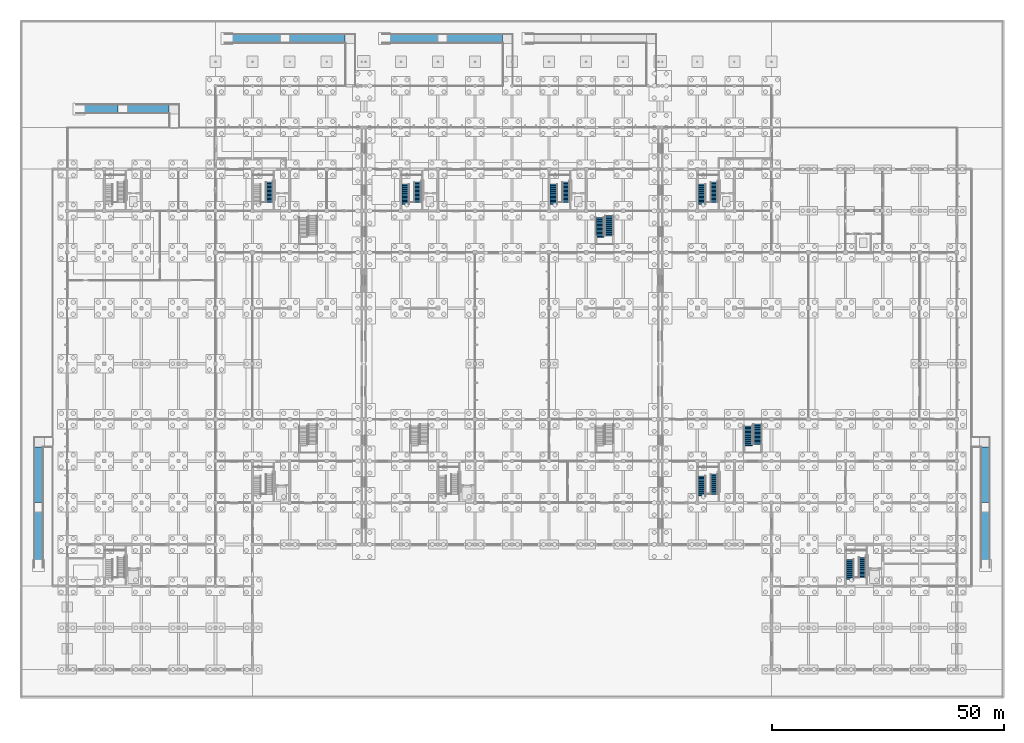
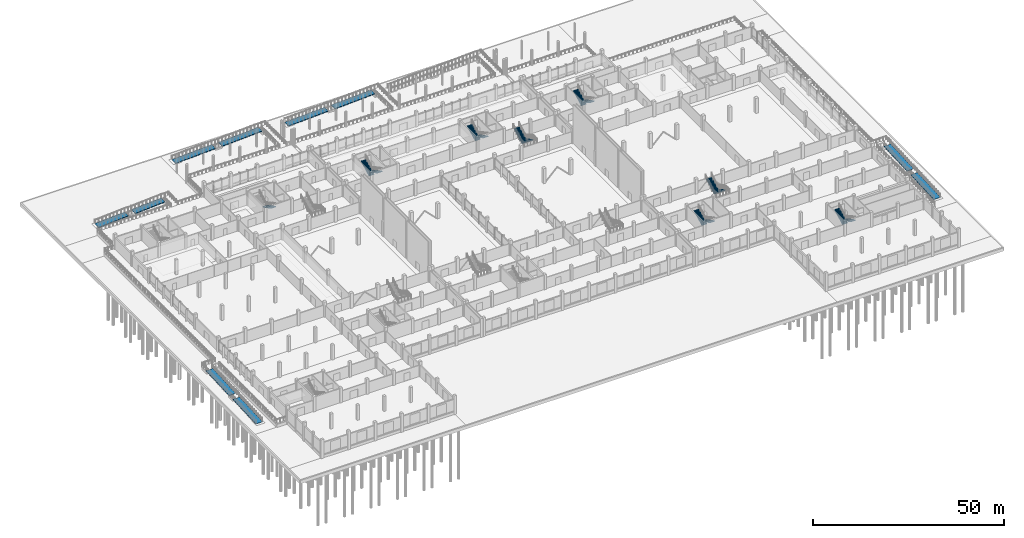
# One storey, part 59 of 72: 15 stair flights, 10 ramp flights, 13 elements without a shape of their own.
"""IFC4 building model written with IfcOpenShell, lengths in metres."""

from ifc_helpers import new_model, si_unit, direction, frame, origin, place, context, subcontext, project, spatial, polyline, outline, extrude, material, layer, layer_set, type_object, element, aggregate, save


model = new_model("IFC4")

# Units and contexts
model_context = context("Model", 3, precision=1e-05, world=origin(), true_north=direction((0.0, 1.0)))
body_context = subcontext(model_context, "Body", "Model", "MODEL_VIEW")
ifc_project = project(units=[si_unit("LENGTHUNIT", "METRE"), si_unit("AREAUNIT", "SQUARE_METRE"), si_unit("VOLUMEUNIT", "CUBIC_METRE"), si_unit("PLANEANGLEUNIT", "RADIAN"), si_unit("MASSUNIT", "GRAM", prefix="KILO"), si_unit("THERMODYNAMICTEMPERATUREUNIT", "KELVIN"), si_unit("POWERUNIT", "WATT")], contexts=[model_context])

# Site, building, storey
site_placement = place(None, origin())
site = spatial("IfcSite", under=ifc_project, at=site_placement, CompositionType="ELEMENT")
building_placement = place(site_placement, origin())
building = spatial("IfcBuilding", under=site, at=building_placement, Name="Kronsvod Quay Wholesale Market", CompositionType="ELEMENT")
storey_placement = place(building_placement, origin())
storey = spatial("IfcBuildingStorey", under=building, at=storey_placement, Name="L00", CompositionType="ELEMENT", Elevation=0.0)

# Stair, stair flights
ifc_material_1 = material(Name="Concrete C35/45", Category="concrete")
stair_type_1 = type_object("IfcStairType", Name="Stair_CoreL00_32R", PredefinedType="HALF_TURN_STAIR", material=ifc_material_1)
stair_1_placement = place(storey_placement, origin())
stair_1 = element("IfcStair", 1, at=stair_1_placement, inside=storey, type_object=stair_type_1, Name="ST05-L00", PredefinedType="HALF_TURN_STAIR")
ifc_material_2 = material(Name="Concrete C35/45", Category="concrete")
stair_flight_type_1 = type_object("IfcStairFlightType", Name="StairFlight_16R_155", PredefinedType="STRAIGHT", material=ifc_material_2)
stair_flight_1_placement = place(storey_placement, frame((139.6650390625, 42.179931640625, 0.0), z_axis=(0.0, 0.0, 1.0), x_axis=(0.0, -1.0, 0.0)))
stair_flight_1 = element("IfcStairFlight", 2, at=stair_flight_1_placement, type_object=stair_flight_type_1, Name="ST05-L00-F1", NumberOfRisers=16, NumberOfTreads=15, PredefinedType="STRAIGHT", RiserHeight=0.15, TreadLength=0.29, context=body_context, shape_type="SweptSolid", body=[
    extrude(outline(polyline([(0.0, 0.0), (0.0, 0.14990234375), (0.2900390625, 0.14990234375), (0.2900390625, 0.300048828125), (0.580078125, 0.300048828125), (0.580078125, 0.449951171875), (0.8701171875, 0.449951171875), (0.8701171875, 0.60009765625), (1.159912109375, 0.60009765625), (1.159912109375, 0.75), (1.449951171875, 0.75), (1.449951171875, 0.89990234375), (1.739990234375, 0.89990234375), (1.739990234375, 1.050048828125), (2.030029296875, 1.050048828125), (2.030029296875, 1.199951171875), (2.320068359375, 1.199951171875), (2.320068359375, 1.35009765625), (2.610107421875, 1.35009765625), (2.610107421875, 1.5), (2.89990234375, 1.5), (2.89990234375, 1.64990234375), (3.18994140625, 1.64990234375), (3.18994140625, 1.800048828125), (3.47998046875, 1.800048828125), (3.47998046875, 1.949951171875), (3.77001953125, 1.949951171875), (3.77001953125, 2.10009765625), (4.06005859375, 2.10009765625), (4.06005859375, 2.25), (4.35009765625, 2.25), (4.35009765625, 2.39990234375), (4.35009765625, 2.070068359375), (0.34814453125, 0.0), (0.0, 0.0)])), frame((0.0, 0.77490234375, 0.0), z_axis=(0.0, -1.0, 0.0), x_axis=(1.0, 0.0, 0.0)), (0.0, 0.0, 1.0), 1.550048828125),
])
stair_flight_2_placement = place(storey_placement, frame((136.9951171875, 37.409912109375, 2.39990234375), z_axis=(0.0, 0.0, 1.0), x_axis=(0.0, 1.0, 0.0)))
stair_flight_2 = element("IfcStairFlight", 3, at=stair_flight_2_placement, type_object=stair_flight_type_1, Name="ST05-L00-F2", NumberOfRisers=16, NumberOfTreads=15, PredefinedType="STRAIGHT", RiserHeight=0.15, TreadLength=0.29, context=body_context, shape_type="SweptSolid", body=[
    extrude(outline(polyline([(0.0, 0.0), (0.0, 0.14990234375), (0.2900390625, 0.14990234375), (0.2900390625, 0.300048828125), (0.580078125, 0.300048828125), (0.580078125, 0.449951171875), (0.8701171875, 0.449951171875), (0.8701171875, 0.60009765625), (1.159912109375, 0.60009765625), (1.159912109375, 0.75), (1.449951171875, 0.75), (1.449951171875, 0.89990234375), (1.739990234375, 0.89990234375), (1.739990234375, 1.050048828125), (2.030029296875, 1.050048828125), (2.030029296875, 1.199951171875), (2.320068359375, 1.199951171875), (2.320068359375, 1.35009765625), (2.610107421875, 1.35009765625), (2.610107421875, 1.5), (2.89990234375, 1.5), (2.89990234375, 1.64990234375), (3.18994140625, 1.64990234375), (3.18994140625, 1.800048828125), (3.47998046875, 1.800048828125), (3.47998046875, 1.949951171875), (3.77001953125, 1.949951171875), (3.77001953125, 2.10009765625), (4.06005859375, 2.10009765625), (4.06005859375, 2.25), (4.35009765625, 2.25), (4.35009765625, 2.39990234375), (4.35009765625, 2.070068359375), (0.34814453125, 0.0), (0.0, 0.0)])), frame((0.0, 0.77490234375, 0.0), z_axis=(0.0, -1.0, 0.0), x_axis=(1.0, 0.0, 0.0)), (0.0, 0.0, 1.0), 1.550048828125),
])
aggregate(stair_1, [stair_flight_1, stair_flight_2])

stair_2_placement = place(storey_placement, origin())
stair_2 = element("IfcStair", 4, at=stair_2_placement, inside=storey, type_object=stair_type_1, Name="ST06-L00", PredefinedType="HALF_TURN_STAIR")
stair_flight_3_placement = place(storey_placement, frame((171.6650390625, 24.179931640625, 0.0), z_axis=(0.0, 0.0, 1.0), x_axis=(0.0, -1.0, 0.0)))
stair_flight_3 = element("IfcStairFlight", 5, at=stair_flight_3_placement, type_object=stair_flight_type_1, Name="ST06-L00-F1", NumberOfRisers=16, NumberOfTreads=15, PredefinedType="STRAIGHT", RiserHeight=0.15, TreadLength=0.29, context=body_context, shape_type="SweptSolid", body=[
    extrude(outline(polyline([(0.0, 0.0), (0.0, 0.14990234375), (0.2900390625, 0.14990234375), (0.2900390625, 0.300048828125), (0.580078125, 0.300048828125), (0.580078125, 0.449951171875), (0.8701171875, 0.449951171875), (0.8701171875, 0.60009765625), (1.159912109375, 0.60009765625), (1.159912109375, 0.75), (1.449951171875, 0.75), (1.449951171875, 0.89990234375), (1.739990234375, 0.89990234375), (1.739990234375, 1.050048828125), (2.030029296875, 1.050048828125), (2.030029296875, 1.199951171875), (2.320068359375, 1.199951171875), (2.320068359375, 1.35009765625), (2.610107421875, 1.35009765625), (2.610107421875, 1.5), (2.89990234375, 1.5), (2.89990234375, 1.64990234375), (3.18994140625, 1.64990234375), (3.18994140625, 1.800048828125), (3.47998046875, 1.800048828125), (3.47998046875, 1.949951171875), (3.77001953125, 1.949951171875), (3.77001953125, 2.10009765625), (4.06005859375, 2.10009765625), (4.06005859375, 2.25), (4.35009765625, 2.25), (4.35009765625, 2.39990234375), (4.35009765625, 2.070068359375), (0.34814453125, 0.0), (0.0, 0.0)])), frame((0.0, 0.77490234375, 0.0), z_axis=(0.0, -1.0, 0.0), x_axis=(1.0, 0.0, 0.0)), (0.0, 0.0, 1.0), 1.550048828125),
])
stair_flight_4_placement = place(storey_placement, frame((168.9951171875, 19.409912109375, 2.39990234375), z_axis=(0.0, 0.0, 1.0), x_axis=(0.0, 1.0, 0.0)))
stair_flight_4 = element("IfcStairFlight", 6, at=stair_flight_4_placement, type_object=stair_flight_type_1, Name="ST06-L00-F2", NumberOfRisers=16, NumberOfTreads=15, PredefinedType="STRAIGHT", RiserHeight=0.15, TreadLength=0.29, context=body_context, shape_type="SweptSolid", body=[
    extrude(outline(polyline([(0.0, 0.0), (0.0, 0.14990234375), (0.2900390625, 0.14990234375), (0.2900390625, 0.300048828125), (0.580078125, 0.300048828125), (0.580078125, 0.449951171875), (0.8701171875, 0.449951171875), (0.8701171875, 0.60009765625), (1.159912109375, 0.60009765625), (1.159912109375, 0.75), (1.449951171875, 0.75), (1.449951171875, 0.89990234375), (1.739990234375, 0.89990234375), (1.739990234375, 1.050048828125), (2.030029296875, 1.050048828125), (2.030029296875, 1.199951171875), (2.320068359375, 1.199951171875), (2.320068359375, 1.35009765625), (2.610107421875, 1.35009765625), (2.610107421875, 1.5), (2.89990234375, 1.5), (2.89990234375, 1.64990234375), (3.18994140625, 1.64990234375), (3.18994140625, 1.800048828125), (3.47998046875, 1.800048828125), (3.47998046875, 1.949951171875), (3.77001953125, 1.949951171875), (3.77001953125, 2.10009765625), (4.06005859375, 2.10009765625), (4.06005859375, 2.25), (4.35009765625, 2.25), (4.35009765625, 2.39990234375), (4.35009765625, 2.070068359375), (0.34814453125, 0.0), (0.0, 0.0)])), frame((0.0, 0.77490234375, 0.0), z_axis=(0.0, -1.0, 0.0), x_axis=(1.0, 0.0, 0.0)), (0.0, 0.0, 1.0), 1.550048828125),
])
aggregate(stair_2, [stair_flight_3, stair_flight_4])

# Stair, stair flight
stair_3_placement = place(storey_placement, origin())
stair_3 = element("IfcStair", 7, at=stair_3_placement, inside=storey, type_object=stair_type_1, Name="ST07-L00", PredefinedType="HALF_TURN_STAIR")
stair_flight_5_placement = place(storey_placement, frame((43.6650390625, 105.179931640625, 0.0), z_axis=(0.0, 0.0, 1.0), x_axis=(0.0, -1.0, 0.0)))
stair_flight_5 = element("IfcStairFlight", 8, at=stair_flight_5_placement, type_object=stair_flight_type_1, Name="ST07-L00-F1", NumberOfRisers=16, NumberOfTreads=15, PredefinedType="STRAIGHT", RiserHeight=0.15, TreadLength=0.29, context=body_context, shape_type="SweptSolid", body=[
    extrude(outline(polyline([(0.0, 0.0), (0.0, 0.14990234375), (0.2900390625, 0.14990234375), (0.2900390625, 0.300048828125), (0.580078125, 0.300048828125), (0.580078125, 0.449951171875), (0.8701171875, 0.449951171875), (0.8701171875, 0.60009765625), (1.159912109375, 0.60009765625), (1.159912109375, 0.75), (1.449951171875, 0.75), (1.449951171875, 0.89990234375), (1.739990234375, 0.89990234375), (1.739990234375, 1.050048828125), (2.030029296875, 1.050048828125), (2.030029296875, 1.199951171875), (2.320068359375, 1.199951171875), (2.320068359375, 1.35009765625), (2.610107421875, 1.35009765625), (2.610107421875, 1.5), (2.89990234375, 1.5), (2.89990234375, 1.64990234375), (3.18994140625, 1.64990234375), (3.18994140625, 1.800048828125), (3.47998046875, 1.800048828125), (3.47998046875, 1.949951171875), (3.77001953125, 1.949951171875), (3.77001953125, 2.10009765625), (4.06005859375, 2.10009765625), (4.06005859375, 2.25), (4.35009765625, 2.25), (4.35009765625, 2.39990234375), (4.35009765625, 2.070068359375), (0.34814453125, 0.0), (0.0, 0.0)])), frame((0.0, 0.77490234375, 0.0), z_axis=(0.0, -1.0, 0.0), x_axis=(1.0, 0.0, 0.0)), (0.0, 0.0, 1.0), 1.550048828125),
])
aggregate(stair_3, [stair_flight_5])

# Stair, stair flights
stair_4_placement = place(storey_placement, origin())
stair_4 = element("IfcStair", 9, at=stair_4_placement, inside=storey, type_object=stair_type_1, Name="ST08-L00", PredefinedType="HALF_TURN_STAIR")
stair_flight_6_placement = place(storey_placement, frame((75.6650390625, 105.179931640625, 0.0), z_axis=(0.0, 0.0, 1.0), x_axis=(0.0, -1.0, 0.0)))
stair_flight_6 = element("IfcStairFlight", 10, at=stair_flight_6_placement, type_object=stair_flight_type_1, Name="ST08-L00-F1", NumberOfRisers=16, NumberOfTreads=15, PredefinedType="STRAIGHT", RiserHeight=0.15, TreadLength=0.29, context=body_context, shape_type="SweptSolid", body=[
    extrude(outline(polyline([(0.0, 0.0), (0.0, 0.14990234375), (0.2900390625, 0.14990234375), (0.2900390625, 0.300048828125), (0.580078125, 0.300048828125), (0.580078125, 0.449951171875), (0.8701171875, 0.449951171875), (0.8701171875, 0.60009765625), (1.159912109375, 0.60009765625), (1.159912109375, 0.75), (1.449951171875, 0.75), (1.449951171875, 0.89990234375), (1.739990234375, 0.89990234375), (1.739990234375, 1.050048828125), (2.030029296875, 1.050048828125), (2.030029296875, 1.199951171875), (2.320068359375, 1.199951171875), (2.320068359375, 1.35009765625), (2.610107421875, 1.35009765625), (2.610107421875, 1.5), (2.89990234375, 1.5), (2.89990234375, 1.64990234375), (3.18994140625, 1.64990234375), (3.18994140625, 1.800048828125), (3.47998046875, 1.800048828125), (3.47998046875, 1.949951171875), (3.77001953125, 1.949951171875), (3.77001953125, 2.10009765625), (4.06005859375, 2.10009765625), (4.06005859375, 2.25), (4.35009765625, 2.25), (4.35009765625, 2.39990234375), (4.35009765625, 2.070068359375), (0.34814453125, 0.0), (0.0, 0.0)])), frame((0.0, 0.77490234375, 0.0), z_axis=(0.0, -1.0, 0.0), x_axis=(1.0, 0.0, 0.0)), (0.0, 0.0, 1.0), 1.550048828125),
])
stair_flight_7_placement = place(storey_placement, frame((72.9951171875, 100.409912109375, 2.39990234375), z_axis=(0.0, 0.0, 1.0), x_axis=(0.0, 1.0, 0.0)))
stair_flight_7 = element("IfcStairFlight", 11, at=stair_flight_7_placement, type_object=stair_flight_type_1, Name="ST08-L00-F2", NumberOfRisers=16, NumberOfTreads=15, PredefinedType="STRAIGHT", RiserHeight=0.15, TreadLength=0.29, context=body_context, shape_type="SweptSolid", body=[
    extrude(outline(polyline([(0.0, 0.0), (0.0, 0.14990234375), (0.2900390625, 0.14990234375), (0.2900390625, 0.300048828125), (0.580078125, 0.300048828125), (0.580078125, 0.449951171875), (0.8701171875, 0.449951171875), (0.8701171875, 0.60009765625), (1.159912109375, 0.60009765625), (1.159912109375, 0.75), (1.449951171875, 0.75), (1.449951171875, 0.89990234375), (1.739990234375, 0.89990234375), (1.739990234375, 1.050048828125), (2.030029296875, 1.050048828125), (2.030029296875, 1.199951171875), (2.320068359375, 1.199951171875), (2.320068359375, 1.35009765625), (2.610107421875, 1.35009765625), (2.610107421875, 1.5), (2.89990234375, 1.5), (2.89990234375, 1.64990234375), (3.18994140625, 1.64990234375), (3.18994140625, 1.800048828125), (3.47998046875, 1.800048828125), (3.47998046875, 1.949951171875), (3.77001953125, 1.949951171875), (3.77001953125, 2.10009765625), (4.06005859375, 2.10009765625), (4.06005859375, 2.25), (4.35009765625, 2.25), (4.35009765625, 2.39990234375), (4.35009765625, 2.070068359375), (0.34814453125, 0.0), (0.0, 0.0)])), frame((0.0, 0.77490234375, 0.0), z_axis=(0.0, -1.0, 0.0), x_axis=(1.0, 0.0, 0.0)), (0.0, 0.0, 1.0), 1.550048828125),
])
aggregate(stair_4, [stair_flight_6, stair_flight_7])

stair_5_placement = place(storey_placement, origin())
stair_5 = element("IfcStair", 12, at=stair_5_placement, inside=storey, type_object=stair_type_1, Name="ST09-L00", PredefinedType="HALF_TURN_STAIR")
stair_flight_8_placement = place(storey_placement, frame((107.6650390625, 105.179931640625, 0.0), z_axis=(0.0, 0.0, 1.0), x_axis=(0.0, -1.0, 0.0)))
stair_flight_8 = element("IfcStairFlight", 13, at=stair_flight_8_placement, type_object=stair_flight_type_1, Name="ST09-L00-F1", NumberOfRisers=16, NumberOfTreads=15, PredefinedType="STRAIGHT", RiserHeight=0.15, TreadLength=0.29, context=body_context, shape_type="SweptSolid", body=[
    extrude(outline(polyline([(0.0, 0.0), (0.0, 0.14990234375), (0.2900390625, 0.14990234375), (0.2900390625, 0.300048828125), (0.580078125, 0.300048828125), (0.580078125, 0.449951171875), (0.8701171875, 0.449951171875), (0.8701171875, 0.60009765625), (1.159912109375, 0.60009765625), (1.159912109375, 0.75), (1.449951171875, 0.75), (1.449951171875, 0.89990234375), (1.739990234375, 0.89990234375), (1.739990234375, 1.050048828125), (2.030029296875, 1.050048828125), (2.030029296875, 1.199951171875), (2.320068359375, 1.199951171875), (2.320068359375, 1.35009765625), (2.610107421875, 1.35009765625), (2.610107421875, 1.5), (2.89990234375, 1.5), (2.89990234375, 1.64990234375), (3.18994140625, 1.64990234375), (3.18994140625, 1.800048828125), (3.47998046875, 1.800048828125), (3.47998046875, 1.949951171875), (3.77001953125, 1.949951171875), (3.77001953125, 2.10009765625), (4.06005859375, 2.10009765625), (4.06005859375, 2.25), (4.35009765625, 2.25), (4.35009765625, 2.39990234375), (4.35009765625, 2.070068359375), (0.34814453125, 0.0), (0.0, 0.0)])), frame((0.0, 0.77490234375, 0.0), z_axis=(0.0, -1.0, 0.0), x_axis=(1.0, 0.0, 0.0)), (0.0, 0.0, 1.0), 1.550048828125),
])
stair_flight_9_placement = place(storey_placement, frame((104.9951171875, 100.409912109375, 2.39990234375), z_axis=(0.0, 0.0, 1.0), x_axis=(0.0, 1.0, 0.0)))
stair_flight_9 = element("IfcStairFlight", 14, at=stair_flight_9_placement, type_object=stair_flight_type_1, Name="ST09-L00-F2", NumberOfRisers=16, NumberOfTreads=15, PredefinedType="STRAIGHT", RiserHeight=0.15, TreadLength=0.29, context=body_context, shape_type="SweptSolid", body=[
    extrude(outline(polyline([(0.0, 0.0), (0.0, 0.14990234375), (0.2900390625, 0.14990234375), (0.2900390625, 0.300048828125), (0.580078125, 0.300048828125), (0.580078125, 0.449951171875), (0.8701171875, 0.449951171875), (0.8701171875, 0.60009765625), (1.159912109375, 0.60009765625), (1.159912109375, 0.75), (1.449951171875, 0.75), (1.449951171875, 0.89990234375), (1.739990234375, 0.89990234375), (1.739990234375, 1.050048828125), (2.030029296875, 1.050048828125), (2.030029296875, 1.199951171875), (2.320068359375, 1.199951171875), (2.320068359375, 1.35009765625), (2.610107421875, 1.35009765625), (2.610107421875, 1.5), (2.89990234375, 1.5), (2.89990234375, 1.64990234375), (3.18994140625, 1.64990234375), (3.18994140625, 1.800048828125), (3.47998046875, 1.800048828125), (3.47998046875, 1.949951171875), (3.77001953125, 1.949951171875), (3.77001953125, 2.10009765625), (4.06005859375, 2.10009765625), (4.06005859375, 2.25), (4.35009765625, 2.25), (4.35009765625, 2.39990234375), (4.35009765625, 2.070068359375), (0.34814453125, 0.0), (0.0, 0.0)])), frame((0.0, 0.77490234375, 0.0), z_axis=(0.0, -1.0, 0.0), x_axis=(1.0, 0.0, 0.0)), (0.0, 0.0, 1.0), 1.550048828125),
])
aggregate(stair_5, [stair_flight_8, stair_flight_9])

stair_6_placement = place(storey_placement, origin())
stair_6 = element("IfcStair", 15, at=stair_6_placement, inside=storey, type_object=stair_type_1, Name="ST10-L00", PredefinedType="HALF_TURN_STAIR")
stair_flight_10_placement = place(storey_placement, frame((139.6650390625, 105.179931640625, 0.0), z_axis=(0.0, 0.0, 1.0), x_axis=(0.0, -1.0, 0.0)))
stair_flight_10 = element("IfcStairFlight", 16, at=stair_flight_10_placement, type_object=stair_flight_type_1, Name="ST10-L00-F1", NumberOfRisers=16, NumberOfTreads=15, PredefinedType="STRAIGHT", RiserHeight=0.15, TreadLength=0.29, context=body_context, shape_type="SweptSolid", body=[
    extrude(outline(polyline([(0.0, 0.0), (0.0, 0.14990234375), (0.2900390625, 0.14990234375), (0.2900390625, 0.300048828125), (0.580078125, 0.300048828125), (0.580078125, 0.449951171875), (0.8701171875, 0.449951171875), (0.8701171875, 0.60009765625), (1.159912109375, 0.60009765625), (1.159912109375, 0.75), (1.449951171875, 0.75), (1.449951171875, 0.89990234375), (1.739990234375, 0.89990234375), (1.739990234375, 1.050048828125), (2.030029296875, 1.050048828125), (2.030029296875, 1.199951171875), (2.320068359375, 1.199951171875), (2.320068359375, 1.35009765625), (2.610107421875, 1.35009765625), (2.610107421875, 1.5), (2.89990234375, 1.5), (2.89990234375, 1.64990234375), (3.18994140625, 1.64990234375), (3.18994140625, 1.800048828125), (3.47998046875, 1.800048828125), (3.47998046875, 1.949951171875), (3.77001953125, 1.949951171875), (3.77001953125, 2.10009765625), (4.06005859375, 2.10009765625), (4.06005859375, 2.25), (4.35009765625, 2.25), (4.35009765625, 2.39990234375), (4.35009765625, 2.070068359375), (0.34814453125, 0.0), (0.0, 0.0)])), frame((0.0, 0.77490234375, 0.0), z_axis=(0.0, -1.0, 0.0), x_axis=(1.0, 0.0, 0.0)), (0.0, 0.0, 1.0), 1.550048828125),
])
stair_flight_11_placement = place(storey_placement, frame((136.9951171875, 100.409912109375, 2.39990234375), z_axis=(0.0, 0.0, 1.0), x_axis=(0.0, 1.0, 0.0)))
stair_flight_11 = element("IfcStairFlight", 17, at=stair_flight_11_placement, type_object=stair_flight_type_1, Name="ST10-L00-F2", NumberOfRisers=16, NumberOfTreads=15, PredefinedType="STRAIGHT", RiserHeight=0.15, TreadLength=0.29, context=body_context, shape_type="SweptSolid", body=[
    extrude(outline(polyline([(0.0, 0.0), (0.0, 0.14990234375), (0.2900390625, 0.14990234375), (0.2900390625, 0.300048828125), (0.580078125, 0.300048828125), (0.580078125, 0.449951171875), (0.8701171875, 0.449951171875), (0.8701171875, 0.60009765625), (1.159912109375, 0.60009765625), (1.159912109375, 0.75), (1.449951171875, 0.75), (1.449951171875, 0.89990234375), (1.739990234375, 0.89990234375), (1.739990234375, 1.050048828125), (2.030029296875, 1.050048828125), (2.030029296875, 1.199951171875), (2.320068359375, 1.199951171875), (2.320068359375, 1.35009765625), (2.610107421875, 1.35009765625), (2.610107421875, 1.5), (2.89990234375, 1.5), (2.89990234375, 1.64990234375), (3.18994140625, 1.64990234375), (3.18994140625, 1.800048828125), (3.47998046875, 1.800048828125), (3.47998046875, 1.949951171875), (3.77001953125, 1.949951171875), (3.77001953125, 2.10009765625), (4.06005859375, 2.10009765625), (4.06005859375, 2.25), (4.35009765625, 2.25), (4.35009765625, 2.39990234375), (4.35009765625, 2.070068359375), (0.34814453125, 0.0), (0.0, 0.0)])), frame((0.0, 0.77490234375, 0.0), z_axis=(0.0, -1.0, 0.0), x_axis=(1.0, 0.0, 0.0)), (0.0, 0.0, 1.0), 1.550048828125),
])
aggregate(stair_6, [stair_flight_10, stair_flight_11])

ifc_material_3 = material(Name="Concrete C35/45", Category="concrete")
stair_type_2 = type_object("IfcStairType", Name="Stair_Concourse32R", PredefinedType="HALF_TURN_STAIR", material=ifc_material_3)
stair_7_placement = place(storey_placement, origin())
stair_7 = element("IfcStair", 18, at=stair_7_placement, inside=storey, type_object=stair_type_2, Name="ST-CON-E", PredefinedType="HALF_TURN_STAIR")
ifc_material_4 = material(Name="Concrete C35/45", Category="concrete")
stair_flight_type_2 = type_object("IfcStairFlightType", Name="StairFlight_16R_165", PredefinedType="STRAIGHT", material=ifc_material_4)
stair_flight_12_placement = place(storey_placement, frame((116.955078125, 97.949951171875, 0.0), z_axis=(0.0, 0.0, 1.0), x_axis=(0.0, -1.0, 0.0)))
stair_flight_12 = element("IfcStairFlight", 19, at=stair_flight_12_placement, type_object=stair_flight_type_2, Name="ST-CON-E-F1", NumberOfRisers=16, NumberOfTreads=15, PredefinedType="STRAIGHT", RiserHeight=0.15, TreadLength=0.29, context=body_context, shape_type="SweptSolid", body=[
    extrude(outline(polyline([(0.0, 0.0), (0.0, 0.14990234375), (0.2900390625, 0.14990234375), (0.2900390625, 0.300048828125), (0.580078125, 0.300048828125), (0.580078125, 0.449951171875), (0.8701171875, 0.449951171875), (0.8701171875, 0.60009765625), (1.159912109375, 0.60009765625), (1.159912109375, 0.75), (1.449951171875, 0.75), (1.449951171875, 0.89990234375), (1.739990234375, 0.89990234375), (1.739990234375, 1.050048828125), (2.030029296875, 1.050048828125), (2.030029296875, 1.199951171875), (2.320068359375, 1.199951171875), (2.320068359375, 1.35009765625), (2.610107421875, 1.35009765625), (2.610107421875, 1.5), (2.89990234375, 1.5), (2.89990234375, 1.64990234375), (3.18994140625, 1.64990234375), (3.18994140625, 1.800048828125), (3.47998046875, 1.800048828125), (3.47998046875, 1.949951171875), (3.77001953125, 1.949951171875), (3.77001953125, 2.10009765625), (4.06005859375, 2.10009765625), (4.06005859375, 2.25), (4.35009765625, 2.25), (4.35009765625, 2.39990234375), (4.35009765625, 2.070068359375), (0.34814453125, 0.0), (0.0, 0.0)])), frame((0.0, 0.824951171875, 0.0), z_axis=(0.0, -1.0, 0.0), x_axis=(1.0, 0.0, 0.0)), (0.0, 0.0, 1.0), 1.64990234375),
])
stair_flight_13_placement = place(storey_placement, frame((115.044921875, 93.2099609375, 2.39990234375), z_axis=(0.0, 0.0, 1.0), x_axis=(0.0, 1.0, 0.0)))
stair_flight_13 = element("IfcStairFlight", 20, at=stair_flight_13_placement, type_object=stair_flight_type_2, Name="ST-CON-E-F2", NumberOfRisers=16, NumberOfTreads=15, PredefinedType="STRAIGHT", RiserHeight=0.15, TreadLength=0.29, context=body_context, shape_type="SweptSolid", body=[
    extrude(outline(polyline([(0.0, 0.0), (0.0, 0.14990234375), (0.2900390625, 0.14990234375), (0.2900390625, 0.300048828125), (0.580078125, 0.300048828125), (0.580078125, 0.449951171875), (0.8701171875, 0.449951171875), (0.8701171875, 0.60009765625), (1.159912109375, 0.60009765625), (1.159912109375, 0.75), (1.449951171875, 0.75), (1.449951171875, 0.89990234375), (1.739990234375, 0.89990234375), (1.739990234375, 1.050048828125), (2.030029296875, 1.050048828125), (2.030029296875, 1.199951171875), (2.320068359375, 1.199951171875), (2.320068359375, 1.35009765625), (2.610107421875, 1.35009765625), (2.610107421875, 1.5), (2.89990234375, 1.5), (2.89990234375, 1.64990234375), (3.18994140625, 1.64990234375), (3.18994140625, 1.800048828125), (3.47998046875, 1.800048828125), (3.47998046875, 1.949951171875), (3.77001953125, 1.949951171875), (3.77001953125, 2.10009765625), (4.06005859375, 2.10009765625), (4.06005859375, 2.25), (4.35009765625, 2.25), (4.35009765625, 2.39990234375), (4.35009765625, 2.070068359375), (0.34814453125, 0.0), (0.0, 0.0)])), frame((0.0, 0.824951171875, 0.0), z_axis=(0.0, -1.0, 0.0), x_axis=(1.0, 0.0, 0.0)), (0.0, 0.0, 1.0), 1.64990234375),
])
aggregate(stair_7, [stair_flight_12, stair_flight_13])

stair_8_placement = place(storey_placement, origin())
stair_8 = element("IfcStair", 21, at=stair_8_placement, inside=storey, type_object=stair_type_2, Name="ST-GAL-E2", PredefinedType="HALF_TURN_STAIR")
stair_flight_14_placement = place(storey_placement, frame((148.955078125, 52.949951171875, 0.0), z_axis=(0.0, 0.0, 1.0), x_axis=(0.0, -1.0, 0.0)))
stair_flight_14 = element("IfcStairFlight", 22, at=stair_flight_14_placement, type_object=stair_flight_type_2, Name="ST-GAL-E2-F1", NumberOfRisers=16, NumberOfTreads=15, PredefinedType="STRAIGHT", RiserHeight=0.15, TreadLength=0.29, context=body_context, shape_type="SweptSolid", body=[
    extrude(outline(polyline([(0.0, 0.0), (0.0, 0.14990234375), (0.2900390625, 0.14990234375), (0.2900390625, 0.300048828125), (0.580078125, 0.300048828125), (0.580078125, 0.449951171875), (0.8701171875, 0.449951171875), (0.8701171875, 0.60009765625), (1.159912109375, 0.60009765625), (1.159912109375, 0.75), (1.449951171875, 0.75), (1.449951171875, 0.89990234375), (1.739990234375, 0.89990234375), (1.739990234375, 1.050048828125), (2.030029296875, 1.050048828125), (2.030029296875, 1.199951171875), (2.320068359375, 1.199951171875), (2.320068359375, 1.35009765625), (2.610107421875, 1.35009765625), (2.610107421875, 1.5), (2.89990234375, 1.5), (2.89990234375, 1.64990234375), (3.18994140625, 1.64990234375), (3.18994140625, 1.800048828125), (3.47998046875, 1.800048828125), (3.47998046875, 1.949951171875), (3.77001953125, 1.949951171875), (3.77001953125, 2.10009765625), (4.06005859375, 2.10009765625), (4.06005859375, 2.25), (4.35009765625, 2.25), (4.35009765625, 2.39990234375), (4.35009765625, 2.070068359375), (0.34814453125, 0.0), (0.0, 0.0)])), frame((0.0, 0.824951171875, 0.0), z_axis=(0.0, -1.0, 0.0), x_axis=(1.0, 0.0, 0.0)), (0.0, 0.0, 1.0), 1.64990234375),
])
stair_flight_15_placement = place(storey_placement, frame((147.044921875, 48.2099609375, 2.39990234375), z_axis=(0.0, 0.0, 1.0), x_axis=(0.0, 1.0, 0.0)))
stair_flight_15 = element("IfcStairFlight", 23, at=stair_flight_15_placement, type_object=stair_flight_type_2, Name="ST-GAL-E2-F2", NumberOfRisers=16, NumberOfTreads=15, PredefinedType="STRAIGHT", RiserHeight=0.15, TreadLength=0.29, context=body_context, shape_type="SweptSolid", body=[
    extrude(outline(polyline([(0.0, 0.0), (0.0, 0.14990234375), (0.2900390625, 0.14990234375), (0.2900390625, 0.300048828125), (0.580078125, 0.300048828125), (0.580078125, 0.449951171875), (0.8701171875, 0.449951171875), (0.8701171875, 0.60009765625), (1.159912109375, 0.60009765625), (1.159912109375, 0.75), (1.449951171875, 0.75), (1.449951171875, 0.89990234375), (1.739990234375, 0.89990234375), (1.739990234375, 1.050048828125), (2.030029296875, 1.050048828125), (2.030029296875, 1.199951171875), (2.320068359375, 1.199951171875), (2.320068359375, 1.35009765625), (2.610107421875, 1.35009765625), (2.610107421875, 1.5), (2.89990234375, 1.5), (2.89990234375, 1.64990234375), (3.18994140625, 1.64990234375), (3.18994140625, 1.800048828125), (3.47998046875, 1.800048828125), (3.47998046875, 1.949951171875), (3.77001953125, 1.949951171875), (3.77001953125, 2.10009765625), (4.06005859375, 2.10009765625), (4.06005859375, 2.25), (4.35009765625, 2.25), (4.35009765625, 2.39990234375), (4.35009765625, 2.070068359375), (0.34814453125, 0.0), (0.0, 0.0)])), frame((0.0, 0.824951171875, 0.0), z_axis=(0.0, -1.0, 0.0), x_axis=(1.0, 0.0, 0.0)), (0.0, 0.0, 1.0), 1.64990234375),
])
aggregate(stair_8, [stair_flight_14, stair_flight_15])

# Ramp, ramp flights
ifc_material_5 = material(Name="Concrete C35/45", Category="concrete")
ramp_type = type_object("IfcRampType", Name="Ramp_Accessible1to20", PredefinedType="STRAIGHT_RUN_RAMP", material=ifc_material_5)
ramp_1_placement = place(storey_placement, origin())
ramp_1 = element("IfcRamp", 24, at=ramp_1_placement, inside=storey, type_object=ramp_type, Name="RMP-N01", PredefinedType="STRAIGHT_RUN_RAMP")
ifc_material_6 = material(Name="Concrete C35/45", Category="concrete")
ifc_layer_1 = layer(ifc_material_6, 0.219970703125)
ifc_layer_set_1 = layer_set([ifc_layer_1], Name="Concrete C35/45")
ramp_flight_type_1 = type_object("IfcRampFlightType", Name="RampFlight_12m", PredefinedType="STRAIGHT", material=ifc_layer_set_1)
ramp_flight_1_placement = place(storey_placement, frame((34.0, 136.199951171875, -1.199951171875), z_axis=(0.0, 0.0, 1.0), x_axis=(1.0, 0.0, 0.0)))
ramp_flight_1 = element("IfcRampFlight", 25, at=ramp_flight_1_placement, type_object=ramp_flight_type_1, Name="RMP-N01-F1", PredefinedType="STRAIGHT", context=body_context, shape_type="SweptSolid", body=[
    extrude(outline(polyline([(0.0, 0.0), (0.0, -0.219970703125), (12.0, 0.380126953125), (12.0, 0.60009765625), (0.0, 0.0)])), frame((0.0, 1.0, 0.0), z_axis=(0.0, -1.0, 0.0), x_axis=(1.0, 0.0, 0.0)), (0.0, 0.0, 1.0), 2.0),
])
ramp_flight_2_placement = place(storey_placement, frame((48.0, 136.199951171875, -0.60009765625), z_axis=(0.0, 0.0, 1.0), x_axis=(1.0, 0.0, 0.0)))
ramp_flight_2 = element("IfcRampFlight", 26, at=ramp_flight_2_placement, type_object=ramp_flight_type_1, Name="RMP-N01-F2", PredefinedType="STRAIGHT", context=body_context, shape_type="SweptSolid", body=[
    extrude(outline(polyline([(0.0, 0.0), (0.0, -0.219970703125), (12.0, 0.380126953125), (12.0, 0.60009765625), (0.0, 0.0)])), frame((0.0, 1.0, 0.0), z_axis=(0.0, -1.0, 0.0), x_axis=(1.0, 0.0, 0.0)), (0.0, 0.0, 1.0), 2.0),
])
aggregate(ramp_1, [ramp_flight_1, ramp_flight_2])

ramp_2_placement = place(storey_placement, origin())
ramp_2 = element("IfcRamp", 27, at=ramp_2_placement, inside=storey, type_object=ramp_type, Name="RMP-N02", PredefinedType="STRAIGHT_RUN_RAMP")
ramp_flight_3_placement = place(storey_placement, frame((68.0, 136.199951171875, -1.199951171875), z_axis=(0.0, 0.0, 1.0), x_axis=(1.0, 0.0, 0.0)))
ramp_flight_3 = element("IfcRampFlight", 28, at=ramp_flight_3_placement, type_object=ramp_flight_type_1, Name="RMP-N02-F1", PredefinedType="STRAIGHT", context=body_context, shape_type="SweptSolid", body=[
    extrude(outline(polyline([(0.0, 0.0), (0.0, -0.219970703125), (12.0, 0.380126953125), (12.0, 0.60009765625), (0.0, 0.0)])), frame((0.0, 1.0, 0.0), z_axis=(0.0, -1.0, 0.0), x_axis=(1.0, 0.0, 0.0)), (0.0, 0.0, 1.0), 2.0),
])
ramp_flight_4_placement = place(storey_placement, frame((82.0, 136.199951171875, -0.60009765625), z_axis=(0.0, 0.0, 1.0), x_axis=(1.0, 0.0, 0.0)))
ramp_flight_4 = element("IfcRampFlight", 29, at=ramp_flight_4_placement, type_object=ramp_flight_type_1, Name="RMP-N02-F2", PredefinedType="STRAIGHT", context=body_context, shape_type="SweptSolid", body=[
    extrude(outline(polyline([(0.0, 0.0), (0.0, -0.219970703125), (12.0, 0.380126953125), (12.0, 0.60009765625), (0.0, 0.0)])), frame((0.0, 1.0, 0.0), z_axis=(0.0, -1.0, 0.0), x_axis=(1.0, 0.0, 0.0)), (0.0, 0.0, 1.0), 2.0),
])
aggregate(ramp_2, [ramp_flight_3, ramp_flight_4])

ramp_3_placement = place(storey_placement, origin())
ramp_3 = element("IfcRamp", 30, at=ramp_3_placement, inside=storey, type_object=ramp_type, Name="RMP-W01", PredefinedType="STRAIGHT_RUN_RAMP")
ramp_flight_5_placement = place(storey_placement, frame((-6.199951171875, 22.0, -1.199951171875), z_axis=(0.0, 0.0, 1.0), x_axis=(0.0, 1.0, 0.0)))
ramp_flight_5 = element("IfcRampFlight", 31, at=ramp_flight_5_placement, type_object=ramp_flight_type_1, Name="RMP-W01-F1", PredefinedType="STRAIGHT", context=body_context, shape_type="SweptSolid", body=[
    extrude(outline(polyline([(0.0, 0.0), (0.0, -0.219970703125), (12.0, 0.380126953125), (12.0, 0.60009765625), (0.0, 0.0)])), frame((0.0, 1.0, 0.0), z_axis=(0.0, -1.0, 0.0), x_axis=(1.0, 0.0, 0.0)), (0.0, 0.0, 1.0), 2.0),
])
ramp_flight_6_placement = place(storey_placement, frame((-6.199951171875, 36.0, -0.60009765625), z_axis=(0.0, 0.0, 1.0), x_axis=(0.0, 1.0, 0.0)))
ramp_flight_6 = element("IfcRampFlight", 32, at=ramp_flight_6_placement, type_object=ramp_flight_type_1, Name="RMP-W01-F2", PredefinedType="STRAIGHT", context=body_context, shape_type="SweptSolid", body=[
    extrude(outline(polyline([(0.0, 0.0), (0.0, -0.219970703125), (12.0, 0.380126953125), (12.0, 0.60009765625), (0.0, 0.0)])), frame((0.0, 1.0, 0.0), z_axis=(0.0, -1.0, 0.0), x_axis=(1.0, 0.0, 0.0)), (0.0, 0.0, 1.0), 2.0),
])
aggregate(ramp_3, [ramp_flight_5, ramp_flight_6])

ramp_4_placement = place(storey_placement, origin())
ramp_4 = element("IfcRamp", 33, at=ramp_4_placement, inside=storey, type_object=ramp_type, Name="RMP-E01", PredefinedType="STRAIGHT_RUN_RAMP")
ramp_flight_7_placement = place(storey_placement, frame((198.199951171875, 22.0, -1.199951171875), z_axis=(0.0, 0.0, 1.0), x_axis=(0.0, 1.0, 0.0)))
ramp_flight_7 = element("IfcRampFlight", 34, at=ramp_flight_7_placement, type_object=ramp_flight_type_1, Name="RMP-E01-F1", PredefinedType="STRAIGHT", context=body_context, shape_type="SweptSolid", body=[
    extrude(outline(polyline([(0.0, 0.0), (0.0, -0.219970703125), (12.0, 0.380126953125), (12.0, 0.60009765625), (0.0, 0.0)])), frame((0.0, 1.0, 0.0), z_axis=(0.0, -1.0, 0.0), x_axis=(1.0, 0.0, 0.0)), (0.0, 0.0, 1.0), 2.0),
])
ramp_flight_8_placement = place(storey_placement, frame((198.199951171875, 36.0, -0.60009765625), z_axis=(0.0, 0.0, 1.0), x_axis=(0.0, 1.0, 0.0)))
ramp_flight_8 = element("IfcRampFlight", 35, at=ramp_flight_8_placement, type_object=ramp_flight_type_1, Name="RMP-E01-F2", PredefinedType="STRAIGHT", context=body_context, shape_type="SweptSolid", body=[
    extrude(outline(polyline([(0.0, 0.0), (0.0, -0.219970703125), (12.0, 0.380126953125), (12.0, 0.60009765625), (0.0, 0.0)])), frame((0.0, 1.0, 0.0), z_axis=(0.0, -1.0, 0.0), x_axis=(1.0, 0.0, 0.0)), (0.0, 0.0, 1.0), 2.0),
])
aggregate(ramp_4, [ramp_flight_7, ramp_flight_8])

ramp_5_placement = place(storey_placement, origin())
ramp_5 = element("IfcRamp", 36, at=ramp_5_placement, inside=storey, type_object=ramp_type, Name="RMP-NW1", PredefinedType="STRAIGHT_RUN_RAMP")
ifc_material_7 = material(Name="Concrete C35/45", Category="concrete")
ifc_layer_2 = layer(ifc_material_7, 0.219970703125)
ifc_layer_set_2 = layer_set([ifc_layer_2], Name="Concrete C35/45")
ramp_flight_type_2 = type_object("IfcRampFlightType", Name="RampFlight_9m", PredefinedType="STRAIGHT", material=ifc_layer_set_2)
ramp_flight_9_placement = place(storey_placement, frame((2.0, 121.0, -1.199951171875), z_axis=(0.0, 0.0, 1.0), x_axis=(1.0, 0.0, 0.0)))
ramp_flight_9 = element("IfcRampFlight", 37, at=ramp_flight_9_placement, type_object=ramp_flight_type_2, Name="RMP-NW1-F1", PredefinedType="STRAIGHT", context=body_context, shape_type="SweptSolid", body=[
    extrude(outline(polyline([(0.0, 0.0), (0.0, -0.219970703125), (9.0, 0.380126953125), (9.0, 0.60009765625), (0.0, 0.0)])), frame((0.0, 1.0, 0.0), z_axis=(0.0, -1.0, 0.0), x_axis=(1.0, 0.0, 0.0)), (0.0, 0.0, 1.0), 2.0),
])
ramp_flight_10_placement = place(storey_placement, frame((13.0, 121.0, -0.60009765625), z_axis=(0.0, 0.0, 1.0), x_axis=(1.0, 0.0, 0.0)))
ramp_flight_10 = element("IfcRampFlight", 38, at=ramp_flight_10_placement, type_object=ramp_flight_type_2, Name="RMP-NW1-F2", PredefinedType="STRAIGHT", context=body_context, shape_type="SweptSolid", body=[
    extrude(outline(polyline([(0.0, 0.0), (0.0, -0.219970703125), (9.0, 0.380126953125), (9.0, 0.60009765625), (0.0, 0.0)])), frame((0.0, 1.0, 0.0), z_axis=(0.0, -1.0, 0.0), x_axis=(1.0, 0.0, 0.0)), (0.0, 0.0, 1.0), 2.0),
])
aggregate(ramp_5, [ramp_flight_9, ramp_flight_10])

save(model, "model.ifc")
